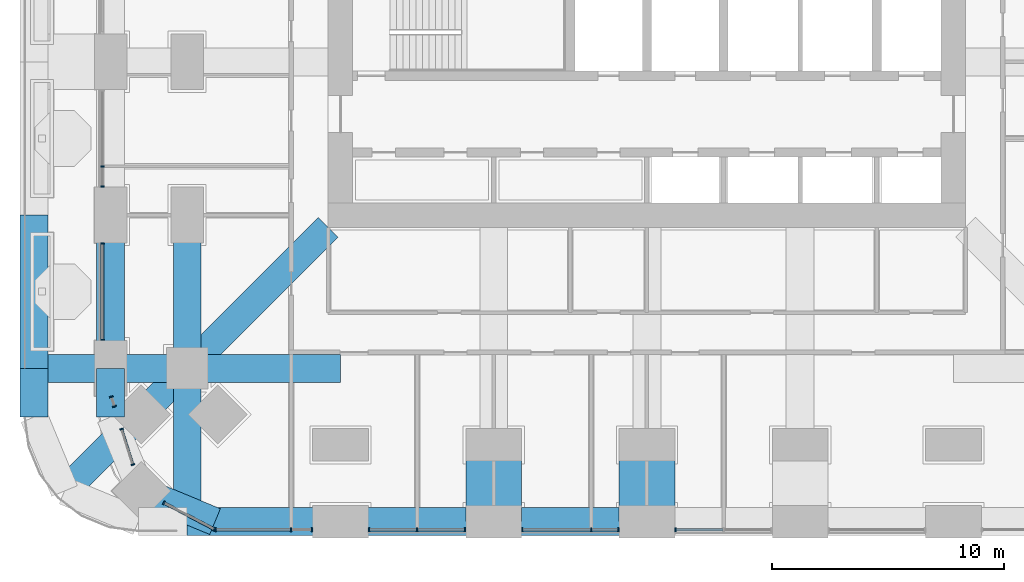
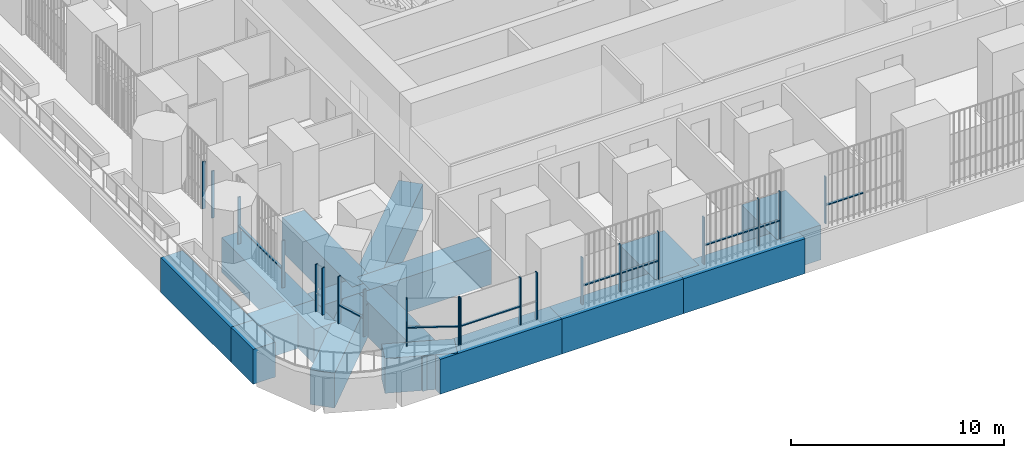
# One storey, part 2 of 27: 29 members, 16 beams, 9 elements without a shape of their own.
"""IFC4 building model written with IfcOpenShell, lengths in metres."""

from ifc_helpers import new_model, si_unit, direction, frame, origin, origin_2d, place, context, subcontext, project, spatial, rectangle, extrude, material, material_profile, profile_set, type_object, element, aggregate, save


model = new_model("IFC4")

# Units and contexts
model_context = context("Model", 3, precision=1e-05, world=origin(), true_north=direction((0.0, 1.0)))
body_context = subcontext(model_context, "Body", "Model", "MODEL_VIEW")
ifc_project = project(units=[si_unit("LENGTHUNIT", "METRE"), si_unit("AREAUNIT", "SQUARE_METRE"), si_unit("VOLUMEUNIT", "CUBIC_METRE"), si_unit("PLANEANGLEUNIT", "RADIAN"), si_unit("MASSUNIT", "GRAM", prefix="KILO")], contexts=[model_context])

# Site, building, storey
site_placement = place(None, origin())
site = spatial("IfcSite", under=ifc_project, at=site_placement, CompositionType="ELEMENT")
building_placement = place(site_placement, origin())
building = spatial("IfcBuilding", under=site, at=building_placement, Name="Cobogo Forest Laboratory Tower", CompositionType="ELEMENT")
storey_placement = place(building_placement, frame((0.0, 0.0, 82.199951171875)))
storey = spatial("IfcBuildingStorey", under=building, at=storey_placement, Name="L18", CompositionType="ELEMENT", Elevation=82.199951171875)

# Curtain wall, members
ifc_material_1 = material(Name="Aluminium curtain wall", Category="aluminium")
curtain_wall_type = type_object("IfcCurtainWallType", Name="CW-1 unitised curtain wall, clear glazing, laboratory floors zones A and B", PredefinedType="USERDEFINED", material=ifc_material_1)
curtain_wall_1_placement = place(storey_placement, origin())
curtain_wall_1 = element("IfcCurtainWall", 1, at=curtain_wall_1_placement, inside=storey, type_object=curtain_wall_type, Name="Curtain wall 01 L18", ObjectType="UNITISED CURTAIN WALL", PredefinedType="USERDEFINED")
ifc_material_2 = material(Name="Aluminium mullion", Category="aluminium")
ifc_material_profile_1 = material_profile(ifc_material_2, rectangle(XDim=0.06005859375, YDim=0.159912109375, at=origin_2d()), Name="AL 60x160")
ifc_profile_set_1 = profile_set([ifc_material_profile_1], Name="Aluminium mullion")
member_type_1 = type_object("IfcMemberType", Name="MU-1 aluminium mullion 60x160", PredefinedType="MULLION", material=ifc_profile_set_1)
member_1_placement = place(storey_placement, frame((7.830078125, -0.35009765625, 0.0), z_axis=(0.0, 0.0, 1.0), x_axis=(1.0, 0.0, 0.0)))
member_1 = element("IfcMember", 2, at=member_1_placement, type_object=member_type_1, Name="CW-1 mullion 1", PredefinedType="MULLION", context=body_context, shape_type="SweptSolid", body=[
    extrude(rectangle(XDim=0.06005859375, YDim=0.159912109375, at=origin_2d()), origin(), (0.0, 0.0, 1.0), 2.699951171875),
])
member_2_placement = place(storey_placement, frame((11.074951171875, -0.35009765625, 0.0), z_axis=(0.0, 0.0, 1.0), x_axis=(1.0, 0.0, 0.0)))
member_2 = element("IfcMember", 3, at=member_2_placement, type_object=member_type_1, Name="CW-1 mullion 2", PredefinedType="MULLION", context=body_context, shape_type="SweptSolid", body=[
    extrude(rectangle(XDim=0.06005859375, YDim=0.159912109375, at=origin_2d()), origin(), (0.0, 0.0, 1.0), 2.699951171875),
])
member_3_placement = place(storey_placement, frame((11.969970703125, -0.35009765625, 0.0), z_axis=(0.0, 0.0, 1.0), x_axis=(1.0, 0.0, 0.0)))
member_3 = element("IfcMember", 4, at=member_3_placement, type_object=member_type_1, Name="CW-1 mullion 3", PredefinedType="MULLION", context=body_context, shape_type="SweptSolid", body=[
    extrude(rectangle(XDim=0.06005859375, YDim=0.159912109375, at=origin_2d()), origin(), (0.0, 0.0, 1.0), 2.699951171875),
])

curtain_wall_2_placement = place(storey_placement, origin())
curtain_wall_2 = element("IfcCurtainWall", 5, at=curtain_wall_2_placement, inside=storey, type_object=curtain_wall_type, Name="Curtain wall 02 L18", ObjectType="UNITISED CURTAIN WALL", PredefinedType="USERDEFINED")
member_4_placement = place(storey_placement, frame((14.429931640625, -0.35009765625, 0.0), z_axis=(0.0, 0.0, 1.0), x_axis=(1.0, 0.0, 0.0)))
member_4 = element("IfcMember", 6, at=member_4_placement, type_object=member_type_1, Name="CW-1 mullion 1", PredefinedType="MULLION", context=body_context, shape_type="SweptSolid", body=[
    extrude(rectangle(XDim=0.06005859375, YDim=0.159912109375, at=origin_2d()), origin(), (0.0, 0.0, 1.0), 2.699951171875),
])
member_5_placement = place(storey_placement, frame((16.5, -0.35009765625, 0.0), z_axis=(0.0, 0.0, 1.0), x_axis=(1.0, 0.0, 0.0)))
member_5 = element("IfcMember", 7, at=member_5_placement, type_object=member_type_1, Name="CW-1 mullion 2", PredefinedType="MULLION", context=body_context, shape_type="SweptSolid", body=[
    extrude(rectangle(XDim=0.06005859375, YDim=0.159912109375, at=origin_2d()), origin(), (0.0, 0.0, 1.0), 2.699951171875),
])
member_6_placement = place(storey_placement, frame((18.570068359375, -0.35009765625, 0.0), z_axis=(0.0, 0.0, 1.0), x_axis=(1.0, 0.0, 0.0)))
member_6 = element("IfcMember", 8, at=member_6_placement, type_object=member_type_1, Name="CW-1 mullion 3", PredefinedType="MULLION", context=body_context, shape_type="SweptSolid", body=[
    extrude(rectangle(XDim=0.06005859375, YDim=0.159912109375, at=origin_2d()), origin(), (0.0, 0.0, 1.0), 2.699951171875),
])

curtain_wall_3_placement = place(storey_placement, origin())
curtain_wall_3 = element("IfcCurtainWall", 9, at=curtain_wall_3_placement, inside=storey, type_object=curtain_wall_type, Name="Curtain wall 03 L18", ObjectType="UNITISED CURTAIN WALL", PredefinedType="USERDEFINED")
member_7_placement = place(storey_placement, frame((21.030029296875, -0.35009765625, 0.0), z_axis=(0.0, 0.0, 1.0), x_axis=(1.0, 0.0, 0.0)))
member_7 = element("IfcMember", 10, at=member_7_placement, type_object=member_type_1, Name="CW-1 mullion 1", PredefinedType="MULLION", context=body_context, shape_type="SweptSolid", body=[
    extrude(rectangle(XDim=0.06005859375, YDim=0.159912109375, at=origin_2d()), origin(), (0.0, 0.0, 1.0), 2.699951171875),
])
member_8_placement = place(storey_placement, frame((24.0, -0.35009765625, 0.0), z_axis=(0.0, 0.0, 1.0), x_axis=(1.0, 0.0, 0.0)))
member_8 = element("IfcMember", 11, at=member_8_placement, type_object=member_type_1, Name="CW-1 mullion 2", PredefinedType="MULLION", context=body_context, shape_type="SweptSolid", body=[
    extrude(rectangle(XDim=0.06005859375, YDim=0.159912109375, at=origin_2d()), origin(), (0.0, 0.0, 1.0), 2.699951171875),
])
member_9_placement = place(storey_placement, frame((25.169921875, -0.35009765625, 0.0), z_axis=(0.0, 0.0, 1.0), x_axis=(1.0, 0.0, 0.0)))
member_9 = element("IfcMember", 12, at=member_9_placement, type_object=member_type_1, Name="CW-1 mullion 3", PredefinedType="MULLION", context=body_context, shape_type="SweptSolid", body=[
    extrude(rectangle(XDim=0.06005859375, YDim=0.159912109375, at=origin_2d()), origin(), (0.0, 0.0, 1.0), 2.699951171875),
])

# Curtain wall, member
curtain_wall_4_placement = place(storey_placement, origin())
curtain_wall_4 = element("IfcCurtainWall", 13, at=curtain_wall_4_placement, inside=storey, type_object=curtain_wall_type, Name="Curtain wall 04 L18", ObjectType="UNITISED CURTAIN WALL", PredefinedType="USERDEFINED")
member_10_placement = place(storey_placement, frame((27.6298828125, -0.35009765625, 0.0), z_axis=(0.0, 0.0, 1.0), x_axis=(1.0, 0.0, 0.0)))
member_10 = element("IfcMember", 14, at=member_10_placement, type_object=member_type_1, Name="CW-1 mullion 1", PredefinedType="MULLION", context=body_context, shape_type="SweptSolid", body=[
    extrude(rectangle(XDim=0.06005859375, YDim=0.159912109375, at=origin_2d()), origin(), (0.0, 0.0, 1.0), 2.699951171875),
])

# Curtain wall, members
curtain_wall_5_placement = place(storey_placement, origin())
curtain_wall_5 = element("IfcCurtainWall", 15, at=curtain_wall_5_placement, inside=storey, type_object=curtain_wall_type, Name="Curtain wall 30 L18", ObjectType="UNITISED CURTAIN WALL", PredefinedType="USERDEFINED")
member_11_placement = place(storey_placement, frame((2.949951171875, 15.300048828125, 0.0), z_axis=(0.0, 0.0, 1.0), x_axis=(0.0, -1.0, 0.0)))
member_11 = element("IfcMember", 16, at=member_11_placement, type_object=member_type_1, Name="CW-1 mullion 2", PredefinedType="MULLION", context=body_context, shape_type="SweptSolid", body=[
    extrude(rectangle(XDim=0.06005859375, YDim=0.159912109375, at=origin_2d()), origin(), (0.0, 0.0, 1.0), 2.699951171875),
])
member_12_placement = place(storey_placement, frame((2.949951171875, 14.429931640625, 0.0), z_axis=(0.0, 0.0, 1.0), x_axis=(0.0, -1.0, 0.0)))
member_12 = element("IfcMember", 17, at=member_12_placement, type_object=member_type_1, Name="CW-1 mullion 3", PredefinedType="MULLION", context=body_context, shape_type="SweptSolid", body=[
    extrude(rectangle(XDim=0.06005859375, YDim=0.159912109375, at=origin_2d()), origin(), (0.0, 0.0, 1.0), 2.699951171875),
])
aggregate(curtain_wall_5, [member_11, member_12])

curtain_wall_6_placement = place(storey_placement, origin())
curtain_wall_6 = element("IfcCurtainWall", 18, at=curtain_wall_6_placement, inside=storey, type_object=curtain_wall_type, Name="Curtain wall 31 L18", ObjectType="UNITISED CURTAIN WALL", PredefinedType="USERDEFINED")
member_13_placement = place(storey_placement, frame((2.949951171875, 11.969970703125, 0.0), z_axis=(0.0, 0.0, 1.0), x_axis=(0.0, -1.0, 0.0)))
member_13 = element("IfcMember", 19, at=member_13_placement, type_object=member_type_1, Name="CW-1 mullion 1", PredefinedType="MULLION", context=body_context, shape_type="SweptSolid", body=[
    extrude(rectangle(XDim=0.06005859375, YDim=0.159912109375, at=origin_2d()), origin(), (0.0, 0.0, 1.0), 2.699951171875),
])
member_14_placement = place(storey_placement, frame((2.949951171875, 7.830078125, 0.0), z_axis=(0.0, 0.0, 1.0), x_axis=(0.0, -1.0, 0.0)))
member_14 = element("IfcMember", 20, at=member_14_placement, type_object=member_type_1, Name="CW-1 mullion 2", PredefinedType="MULLION", context=body_context, shape_type="SweptSolid", body=[
    extrude(rectangle(XDim=0.06005859375, YDim=0.159912109375, at=origin_2d()), origin(), (0.0, 0.0, 1.0), 2.699951171875),
])

curtain_wall_7_placement = place(storey_placement, origin())
curtain_wall_7 = element("IfcCurtainWall", 21, at=curtain_wall_7_placement, inside=storey, type_object=curtain_wall_type, Name="Curtain wall 32 L18", ObjectType="UNITISED CURTAIN WALL", PredefinedType="USERDEFINED")
member_15_placement = place(storey_placement, frame((3.337890625, 5.371337890625, 0.0), z_axis=(0.0, 0.0, 1.0), x_axis=(0.301134593201, -0.953581646624, 0.0)))
member_15 = element("IfcMember", 22, at=member_15_placement, type_object=member_type_1, Name="CW-1 mullion 1", PredefinedType="MULLION", context=body_context, shape_type="SweptSolid", body=[
    extrude(rectangle(XDim=0.06005859375, YDim=0.159912109375, at=origin_2d()), origin(), (0.0, 0.0, 1.0), 2.699951171875),
])
member_16_placement = place(storey_placement, frame((3.46728515625, 4.961669921875, 0.0), z_axis=(0.0, 0.0, 1.0), x_axis=(0.301134593201, -0.953581646624, 0.0)))
member_16 = element("IfcMember", 23, at=member_16_placement, type_object=member_type_1, Name="CW-1 mullion 2", PredefinedType="MULLION", context=body_context, shape_type="SweptSolid", body=[
    extrude(rectangle(XDim=0.06005859375, YDim=0.159912109375, at=origin_2d()), origin(), (0.0, 0.0, 1.0), 2.699951171875),
])
aggregate(curtain_wall_7, [member_15, member_16])

curtain_wall_8_placement = place(storey_placement, origin())
curtain_wall_8 = element("IfcCurtainWall", 24, at=curtain_wall_8_placement, inside=storey, type_object=curtain_wall_type, Name="Curtain wall 33 L18", ObjectType="UNITISED CURTAIN WALL", PredefinedType="USERDEFINED")
member_17_placement = place(storey_placement, frame((3.7763671875, 3.983642578125, 0.0), z_axis=(0.0, 0.0, 1.0), x_axis=(0.301135106076, -0.953581484661, 0.0)))
member_17 = element("IfcMember", 25, at=member_17_placement, type_object=member_type_1, Name="CW-1 mullion 1", PredefinedType="MULLION", context=body_context, shape_type="SweptSolid", body=[
    extrude(rectangle(XDim=0.06005859375, YDim=0.159912109375, at=origin_2d()), origin(), (0.0, 0.0, 1.0), 2.699951171875),
])
member_18_placement = place(storey_placement, frame((4.25927734375, 2.45361328125, 0.0), z_axis=(0.0, 0.0, 1.0), x_axis=(0.301135106076, -0.953581484661, 0.0)))
member_18 = element("IfcMember", 26, at=member_18_placement, type_object=member_type_1, Name="CW-1 mullion 2", PredefinedType="MULLION", context=body_context, shape_type="SweptSolid", body=[
    extrude(rectangle(XDim=0.06005859375, YDim=0.159912109375, at=origin_2d()), origin(), (0.0, 0.0, 1.0), 2.699951171875),
])

curtain_wall_9_placement = place(storey_placement, origin())
curtain_wall_9 = element("IfcCurtainWall", 27, at=curtain_wall_9_placement, inside=storey, type_object=curtain_wall_type, Name="Curtain wall 34 L18", ObjectType="UNITISED CURTAIN WALL", PredefinedType="USERDEFINED")
member_19_placement = place(storey_placement, frame((5.600341796875, 0.80322265625, 0.0), z_axis=(0.0, 0.0, 1.0), x_axis=(0.885686598126, -0.4642835878, 0.0)))
member_19 = element("IfcMember", 28, at=member_19_placement, type_object=member_type_1, Name="CW-1 mullion 1", PredefinedType="MULLION", context=body_context, shape_type="SweptSolid", body=[
    extrude(rectangle(XDim=0.06005859375, YDim=0.159912109375, at=origin_2d()), origin(), (0.0, 0.0, 1.0), 2.699951171875),
])
member_20_placement = place(storey_placement, frame((7.7734375, -0.336181640625, 0.0), z_axis=(0.0, 0.0, 1.0), x_axis=(0.885686598126, -0.4642835878, 0.0)))
member_20 = element("IfcMember", 29, at=member_20_placement, type_object=member_type_1, Name="CW-1 mullion 2", PredefinedType="MULLION", context=body_context, shape_type="SweptSolid", body=[
    extrude(rectangle(XDim=0.06005859375, YDim=0.159912109375, at=origin_2d()), origin(), (0.0, 0.0, 1.0), 2.699951171875),
])

# Beams
ifc_material_3 = material(Name="Concrete HA-50 (C50/60)", Category="concrete")
ifc_material_profile_2 = material_profile(ifc_material_3, rectangle(XDim=2.39990234375, YDim=2.0, at=origin_2d()), Name="RC 2400x2000")
ifc_profile_set_2 = profile_set([ifc_material_profile_2], Name="Concrete HA-50 (C50/60)")
beam_type_1 = type_object("IfcBeamType", Name="Setback floor end-bay girder 2400x2000", PredefinedType="BEAM", material=ifc_profile_set_2)
for number, where, z_axis, x_axis, name in (
    (30, (19.800048828125, 0.0, -1.300048828125), (0.0, 1.0, 0.0), (-1.0, 0.0, 0.0), "TG3 R-4-S-X L18"),
    (31, (26.39990234375, 0.0, -1.300048828125), (0.0, 1.0, 0.0), (-1.0, 0.0, 0.0), "TG3 R-5-S-X L18"),
):
    element("IfcBeam", number, at=place(storey_placement, frame(where, z_axis=z_axis, x_axis=x_axis)), inside=storey, type_object=beam_type_1, Name=name, PredefinedType="BEAM", context=body_context, shape_type="SweptSolid", body=[
        extrude(rectangle(XDim=2.39990234375, YDim=2.0, at=origin_2d()), origin(), (0.0, 0.0, 1.0), 3.300048828125),
    ])
ifc_material_4 = material(Name="Concrete HA-40 (C40/50)", Category="concrete")
ifc_material_profile_3 = material_profile(ifc_material_4, rectangle(XDim=1.199951171875, YDim=2.0, at=origin_2d()), Name="RC 1200x2000")
ifc_profile_set_3 = profile_set([ifc_material_profile_3], Name="Concrete HA-40 (C40/50)")
beam_type_2 = type_object("IfcBeamType", Name="Setback floor girder 1200x2000", PredefinedType="BEAM", material=ifc_profile_set_3)
beam_1_placement = place(storey_placement, frame((6.60009765625, 0.0, -1.300048828125), z_axis=(0.0, 1.0, 0.0), x_axis=(-1.0, 0.0, 0.0)))
element("IfcBeam", 32, at=beam_1_placement, inside=storey, type_object=beam_type_2, Name="TG2 G-SW-XF L18", PredefinedType="BEAM", context=body_context, shape_type="SweptSolid", body=[
    extrude(rectangle(XDim=1.199951171875, YDim=2.0, at=origin_2d()), origin(), (0.0, 0.0, 1.0), 6.60009765625),
])
beam_2_placement = place(storey_placement, frame((6.60009765625, 6.60009765625, -1.300048828125), z_axis=(0.0, 1.0, 0.0), x_axis=(-1.0, 0.0, 0.0)))
element("IfcBeam", 33, at=beam_2_placement, inside=storey, type_object=beam_type_2, Name="TG2 G-SW-XC L18", PredefinedType="BEAM", context=body_context, shape_type="SweptSolid", body=[
    extrude(rectangle(XDim=1.199951171875, YDim=2.0, at=origin_2d()), origin(), (0.0, 0.0, 1.0), 6.599853515625),
])
beam_3_placement = place(storey_placement, frame((0.0, 6.60009765625, -1.300048828125), z_axis=(1.0, 0.0, 0.0), x_axis=(0.0, 1.0, 0.0)))
element("IfcBeam", 34, at=beam_3_placement, inside=storey, type_object=beam_type_2, Name="TG2 G-SW-YF L18", PredefinedType="BEAM", context=body_context, shape_type="SweptSolid", body=[
    extrude(rectangle(XDim=1.199951171875, YDim=2.0, at=origin_2d()), origin(), (0.0, 0.0, 1.0), 6.60009765625),
])
beam_4_placement = place(storey_placement, frame((6.60009765625, 6.60009765625, -1.300048828125), z_axis=(1.0, 0.0, 0.0), x_axis=(0.0, 1.0, 0.0)))
element("IfcBeam", 35, at=beam_4_placement, inside=storey, type_object=beam_type_2, Name="TG2 G-SW-YC L18", PredefinedType="BEAM", context=body_context, shape_type="SweptSolid", body=[
    extrude(rectangle(XDim=1.199951171875, YDim=2.0, at=origin_2d()), origin(), (0.0, 0.0, 1.0), 6.599853515625),
])
beam_5_placement = place(storey_placement, frame((1.318115234375, 1.318115234375, -1.300048828125), z_axis=(0.707106781187, 0.707106781187, 0.0), x_axis=(-0.707106781187, 0.707106781187, 0.0)))
element("IfcBeam", 36, at=beam_5_placement, inside=storey, type_object=beam_type_2, Name="TG2 G-SW-D1 L18", PredefinedType="BEAM", context=body_context, shape_type="SweptSolid", body=[
    extrude(rectangle(XDim=1.199951171875, YDim=2.0, at=origin_2d()), origin(), (0.0, 0.0, 1.0), 7.469970703125),
])
beam_6_placement = place(storey_placement, frame((6.60009765625, 6.60009765625, -1.300048828125), z_axis=(0.707106781187, 0.707106781187, 0.0), x_axis=(-0.707106781187, 0.707106781187, 0.0)))
element("IfcBeam", 37, at=beam_6_placement, inside=storey, type_object=beam_type_2, Name="TG2 G-SW-D2 L18", PredefinedType="BEAM", context=body_context, shape_type="SweptSolid", body=[
    extrude(rectangle(XDim=1.199951171875, YDim=2.0, at=origin_2d()), origin(), (0.0, 0.0, 1.0), 8.59130859375),
])
beam_7_placement = place(storey_placement, frame((6.60009765625, 0.0, -1.300048828125), z_axis=(1.0, 0.0, 0.0), x_axis=(0.0, 1.0, 0.0)))
element("IfcBeam", 38, at=beam_7_placement, inside=storey, type_object=beam_type_2, Name="TG2 E-S1 L18", PredefinedType="BEAM", context=body_context, shape_type="SweptSolid", body=[
    extrude(rectangle(XDim=1.199951171875, YDim=2.0, at=origin_2d()), origin(), (0.0, 0.0, 1.0), 6.599853515625),
])
beam_8_placement = place(storey_placement, frame((13.199951171875, 0.0, -1.300048828125), z_axis=(1.0, 0.0, 0.0), x_axis=(0.0, 1.0, 0.0)))
element("IfcBeam", 39, at=beam_8_placement, inside=storey, type_object=beam_type_2, Name="TG2 E-S2 L18", PredefinedType="BEAM", context=body_context, shape_type="SweptSolid", body=[
    extrude(rectangle(XDim=1.199951171875, YDim=2.0, at=origin_2d()), origin(), (0.0, 0.0, 1.0), 6.60009765625),
])
for number, where, z_axis, x_axis, name in (
    (40, (19.800048828125, 0.0, -1.300048828125), (1.0, 0.0, 0.0), (0.0, 1.0, 0.0), "TG2 E-S3 L18"),
    (41, (0.0, 6.60009765625, -1.300048828125), (0.0, 1.0, 0.0), (-1.0, 0.0, 0.0), "TG2 E-W1 L18"),
):
    element("IfcBeam", number, at=place(storey_placement, frame(where, z_axis=z_axis, x_axis=x_axis)), inside=storey, type_object=beam_type_2, Name=name, PredefinedType="BEAM", context=body_context, shape_type="SweptSolid", body=[
        extrude(rectangle(XDim=1.199951171875, YDim=2.0, at=origin_2d()), origin(), (0.0, 0.0, 1.0), 6.599853515625),
    ])
beam_9_placement = place(storey_placement, frame((0.0, 6.60009765625, -1.300048828125), z_axis=(0.0, -1.0, 0.0), x_axis=(1.0, 0.0, 0.0)))
element("IfcBeam", 42, at=beam_9_placement, inside=storey, type_object=beam_type_2, Name="TG2 E-SWW1 L18", PredefinedType="BEAM", context=body_context, shape_type="SweptSolid", body=[
    extrude(rectangle(XDim=1.199951171875, YDim=2.0, at=origin_2d()), origin(), (0.0, 0.0, 1.0), 2.10009765625),
])
beam_10_placement = place(storey_placement, frame((3.300048828125, 6.60009765625, -1.300048828125), z_axis=(0.0, 1.0, 0.0), x_axis=(-1.0, 0.0, 0.0)))
element("IfcBeam", 43, at=beam_10_placement, inside=storey, type_object=beam_type_2, Name="TG2 UE-W1 L18", PredefinedType="BEAM", context=body_context, shape_type="SweptSolid", body=[
    extrude(rectangle(XDim=1.199951171875, YDim=2.0, at=origin_2d()), origin(), (0.0, 0.0, 1.0), 6.599853515625),
])
beam_11_placement = place(storey_placement, frame((7.800048828125, 0.0, -1.300048828125), z_axis=(-0.923876013265, 0.382691928466, 0.0), x_axis=(-0.382691928466, -0.923876013265, 0.0)))
element("IfcBeam", 44, at=beam_11_placement, inside=storey, type_object=beam_type_2, Name="TG2 UE-SWS2 L18", PredefinedType="BEAM", context=body_context, shape_type="SweptSolid", body=[
    extrude(rectangle(XDim=1.199951171875, YDim=2.0, at=origin_2d()), origin(), (0.0, 0.0, 1.0), 3.4443359375),
])
beam_12_placement = place(storey_placement, frame((3.300048828125, 6.60009765625, -1.300048828125), z_axis=(0.0, -1.0, 0.0), x_axis=(1.0, 0.0, 0.0)))
element("IfcBeam", 45, at=beam_12_placement, inside=storey, type_object=beam_type_2, Name="TG2 UE-SWW1 L18", PredefinedType="BEAM", context=body_context, shape_type="SweptSolid", body=[
    extrude(rectangle(XDim=1.199951171875, YDim=2.0, at=origin_2d()), origin(), (0.0, 0.0, 1.0), 2.10009765625),
])

# Member
ifc_material_5 = material(Name="Aluminium transom", Category="aluminium")
ifc_material_profile_4 = material_profile(ifc_material_5, rectangle(XDim=0.1201171875, YDim=0.06005859375, at=origin_2d()), Name="AL 60x120")
ifc_profile_set_4 = profile_set([ifc_material_profile_4], Name="Aluminium transom")
member_type_2 = type_object("IfcMemberType", Name="TR-1 aluminium transom 60x120", PredefinedType="USERDEFINED", material=ifc_profile_set_4)
member_21_placement = place(storey_placement, frame((7.860107421875, -0.35009765625, 1.050048828125), z_axis=(1.0, 0.0, 0.0), x_axis=(0.0, 1.0, 0.0)))
member_21 = element("IfcMember", 46, at=member_21_placement, type_object=member_type_2, Name="CW-1 transom 1.1", ObjectType="TRANSOM", PredefinedType="USERDEFINED", context=body_context, shape_type="SweptSolid", body=[
    extrude(rectangle(XDim=0.1201171875, YDim=0.06005859375, at=origin_2d()), origin(), (0.0, 0.0, 1.0), 3.184814453125),
])

aggregate(curtain_wall_1, [member_1, member_2, member_3, member_21])

member_22_placement = place(storey_placement, frame((14.4599609375, -0.35009765625, 1.050048828125), z_axis=(1.0, 0.0, 0.0), x_axis=(0.0, 1.0, 0.0)))
member_22 = element("IfcMember", 47, at=member_22_placement, type_object=member_type_2, Name="CW-1 transom 1.1", ObjectType="TRANSOM", PredefinedType="USERDEFINED", context=body_context, shape_type="SweptSolid", body=[
    extrude(rectangle(XDim=0.1201171875, YDim=0.06005859375, at=origin_2d()), origin(), (0.0, 0.0, 1.0), 2.010009765625),
])

member_23_placement = place(storey_placement, frame((16.530029296875, -0.35009765625, 1.050048828125), z_axis=(1.0, 0.0, 0.0), x_axis=(0.0, 1.0, 0.0)))
member_23 = element("IfcMember", 48, at=member_23_placement, type_object=member_type_2, Name="CW-1 transom 2.1", ObjectType="TRANSOM", PredefinedType="USERDEFINED", context=body_context, shape_type="SweptSolid", body=[
    extrude(rectangle(XDim=0.1201171875, YDim=0.06005859375, at=origin_2d()), origin(), (0.0, 0.0, 1.0), 2.010009765625),
])

aggregate(curtain_wall_2, [member_4, member_5, member_6, member_22, member_23])

member_24_placement = place(storey_placement, frame((21.06005859375, -0.35009765625, 1.050048828125), z_axis=(1.0, 0.0, 0.0), x_axis=(0.0, 1.0, 0.0)))
member_24 = element("IfcMember", 49, at=member_24_placement, type_object=member_type_2, Name="CW-1 transom 1.1", ObjectType="TRANSOM", PredefinedType="USERDEFINED", context=body_context, shape_type="SweptSolid", body=[
    extrude(rectangle(XDim=0.1201171875, YDim=0.06005859375, at=origin_2d()), origin(), (0.0, 0.0, 1.0), 2.909912109375),
])

member_25_placement = place(storey_placement, frame((24.030029296875, -0.35009765625, 1.050048828125), z_axis=(1.0, 0.0, 0.0), x_axis=(0.0, 1.0, 0.0)))
member_25 = element("IfcMember", 50, at=member_25_placement, type_object=member_type_2, Name="CW-1 transom 2.1", ObjectType="TRANSOM", PredefinedType="USERDEFINED", context=body_context, shape_type="SweptSolid", body=[
    extrude(rectangle(XDim=0.1201171875, YDim=0.06005859375, at=origin_2d()), origin(), (0.0, 0.0, 1.0), 1.10986328125),
])

aggregate(curtain_wall_3, [member_7, member_8, member_9, member_24, member_25])

member_26_placement = place(storey_placement, frame((27.659912109375, -0.35009765625, 1.050048828125), z_axis=(1.0, 0.0, 0.0), x_axis=(0.0, 1.0, 0.0)))
member_26 = element("IfcMember", 51, at=member_26_placement, type_object=member_type_2, Name="CW-1 transom 1.1", ObjectType="TRANSOM", PredefinedType="USERDEFINED", context=body_context, shape_type="SweptSolid", body=[
    extrude(rectangle(XDim=0.1201171875, YDim=0.06005859375, at=origin_2d()), origin(), (0.0, 0.0, 1.0), 2.010009765625),
])

aggregate(curtain_wall_4, [member_10, member_26])

member_27_placement = place(storey_placement, frame((2.949951171875, 11.93994140625, 1.050048828125), z_axis=(0.0, -1.0, 0.0), x_axis=(1.0, 0.0, 0.0)))
member_27 = element("IfcMember", 52, at=member_27_placement, type_object=member_type_2, Name="CW-1 transom 1.1", ObjectType="TRANSOM", PredefinedType="USERDEFINED", context=body_context, shape_type="SweptSolid", body=[
    extrude(rectangle(XDim=0.1201171875, YDim=0.06005859375, at=origin_2d()), origin(), (0.0, 0.0, 1.0), 4.079833984375),
])

aggregate(curtain_wall_6, [member_13, member_14, member_27])

member_28_placement = place(storey_placement, frame((3.785400390625, 3.955078125, 1.050048828125), z_axis=(0.300964932158, -0.953635207829, 0.0), x_axis=(0.953635207829, 0.300964932158, 0.0)))
member_28 = element("IfcMember", 53, at=member_28_placement, type_object=member_type_2, Name="CW-1 transom 1.1", ObjectType="TRANSOM", PredefinedType="USERDEFINED", context=body_context, shape_type="SweptSolid", body=[
    extrude(rectangle(XDim=0.1201171875, YDim=0.06005859375, at=origin_2d()), origin(), (0.0, 0.0, 1.0), 1.54443359375),
])

aggregate(curtain_wall_8, [member_17, member_18, member_28])

member_29_placement = place(storey_placement, frame((5.626708984375, 0.789306640625, 1.050048828125), z_axis=(0.885695750438, -0.464266128051, 0.0), x_axis=(0.464266128051, 0.885695750438, 0.0)))
member_29 = element("IfcMember", 54, at=member_29_placement, type_object=member_type_2, Name="CW-1 transom 1.1", ObjectType="TRANSOM", PredefinedType="USERDEFINED", context=body_context, shape_type="SweptSolid", body=[
    extrude(rectangle(XDim=0.1201171875, YDim=0.06005859375, at=origin_2d()), origin(), (0.0, 0.0, 1.0), 2.393798828125),
])

aggregate(curtain_wall_9, [member_19, member_20, member_29])

save(model, "model.ifc")
